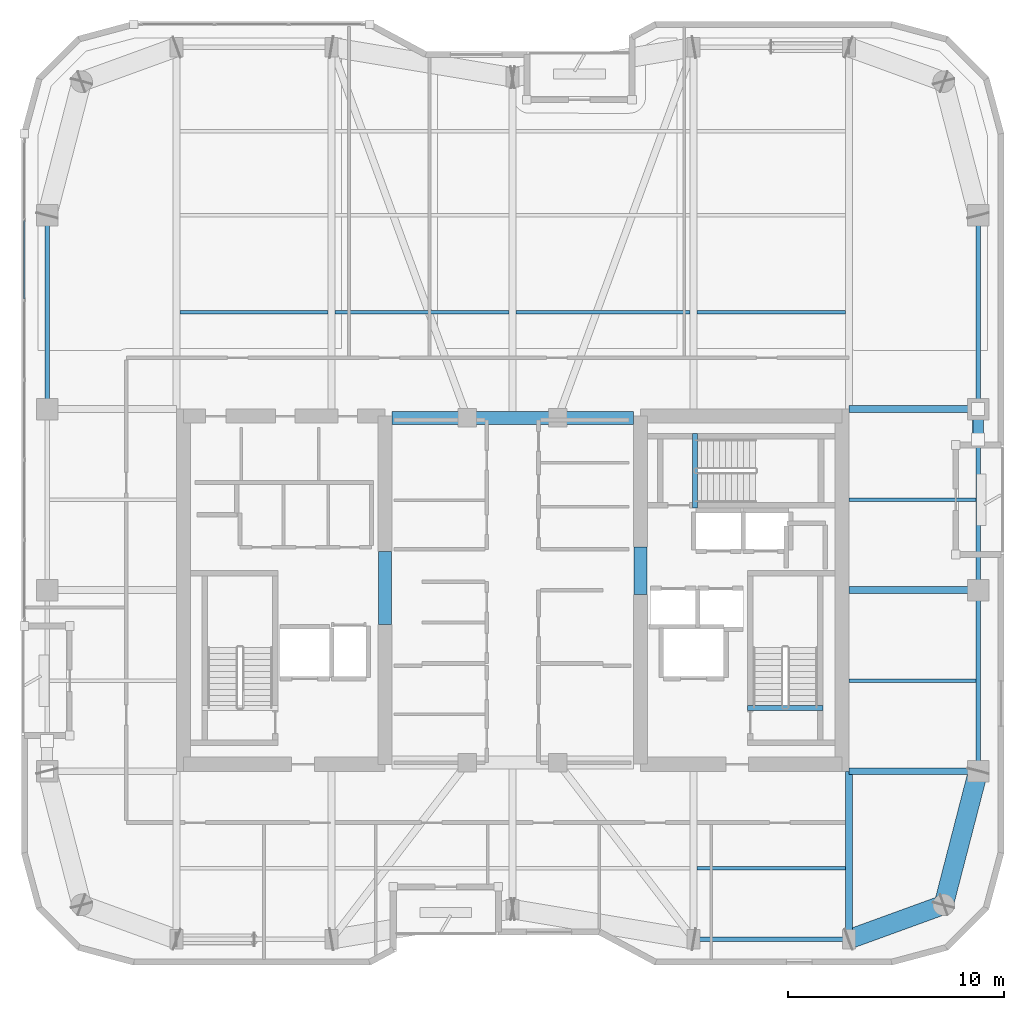
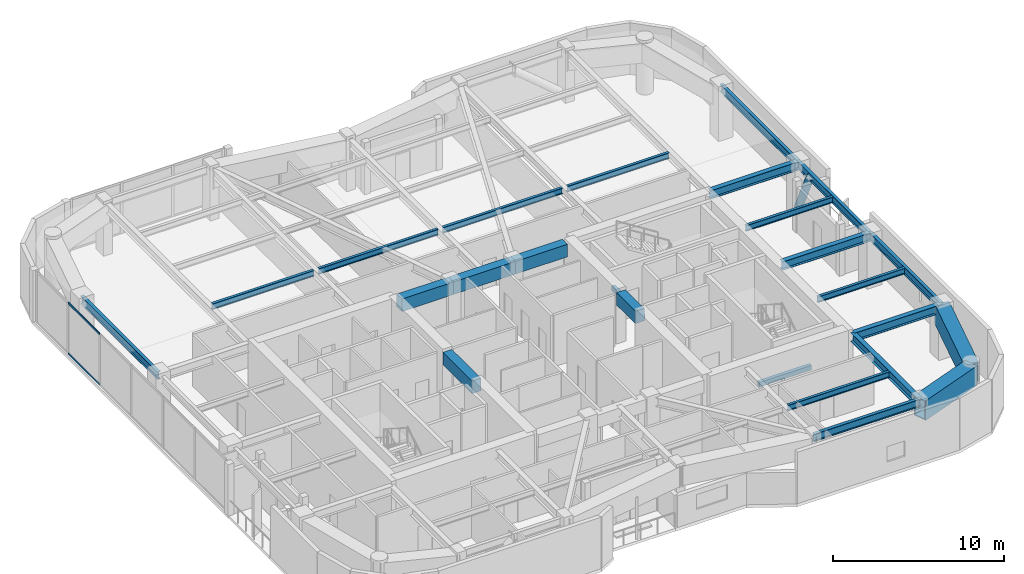
# One storey, part 5 of 21: 25 beams, 3 members, 1 element without a shape of its own.
"""IFC4 building model written with IfcOpenShell, lengths in metres."""

from ifc_helpers import new_model, si_unit, direction, frame, origin, origin_2d, place, context, subcontext, project, spatial, rectangle, hollow_rectangle, hollow_circle, i_section, extrude, material, layer, layer_set, material_profile, profile_set, type_object, element, aggregate, save


model = new_model("IFC4")

# Units and contexts
model_context = context("Model", 3, precision=1e-05, world=origin(), true_north=direction((0.0, 1.0)))
body_context = subcontext(model_context, "Body", "Model", "MODEL_VIEW")
ifc_project = project(units=[si_unit("LENGTHUNIT", "METRE"), si_unit("AREAUNIT", "SQUARE_METRE"), si_unit("VOLUMEUNIT", "CUBIC_METRE"), si_unit("PLANEANGLEUNIT", "RADIAN"), si_unit("MASSUNIT", "GRAM", prefix="KILO")], contexts=[model_context])

# Site, building, storey
site_placement = place(None, origin())
site = spatial("IfcSite", under=ifc_project, at=site_placement, CompositionType="ELEMENT")
building_placement = place(site_placement, origin())
building = spatial("IfcBuilding", under=site, at=building_placement, Name="Kiyonajd Concourse Tower", CompositionType="ELEMENT")
storey_placement = place(building_placement, frame((0.0, 0.0, 247.199951171875)))
storey = spatial("IfcBuildingStorey", under=building, at=storey_placement, Name="L62", CompositionType="ELEMENT", Elevation=247.199951171875)

# Beams
ifc_material_1 = material(Name="Concrete C60/75", Category="concrete")
ifc_material_profile_1 = material_profile(ifc_material_1, rectangle(XDim=0.60009765625, YDim=0.89990234375, at=origin_2d()), Name="RCBM-600x900")
ifc_profile_set_1 = profile_set([ifc_material_profile_1], Name="Concrete C60/75")
beam_type_1 = type_object("IfcBeamType", Name="BM-COUP-900", PredefinedType="LINTEL", material=ifc_profile_set_1)
beam_1_placement = place(storey_placement, frame((42.39990234375, 44.0, 3.22998046875), z_axis=(1.0, 0.0, 0.0), x_axis=(0.0, 1.0, 0.0)))
element("IfcBeam", 1, at=beam_1_placement, inside=storey, type_object=beam_type_1, Name="L62 Core Coupling Beam N1", PredefinedType="LINTEL", context=body_context, shape_type="SweptSolid", body=[
    extrude(rectangle(XDim=0.60009765625, YDim=0.89990234375, at=origin_2d()), origin(), (0.0, 0.0, 1.0), 3.5),
])
beam_2_placement = place(storey_placement, frame((45.89990234375, 44.0, 3.22998046875), z_axis=(1.0, 0.0, 0.0), x_axis=(0.0, 1.0, 0.0)))
element("IfcBeam", 2, at=beam_2_placement, inside=storey, type_object=beam_type_1, Name="L62 Core Coupling Beam N2", PredefinedType="LINTEL", context=body_context, shape_type="SweptSolid", body=[
    extrude(rectangle(XDim=0.60009765625, YDim=0.89990234375, at=origin_2d()), origin(), (0.0, 0.0, 1.0), 4.2001953125),
])
beam_3_placement = place(storey_placement, frame((50.10009765625, 44.0, 3.22998046875), z_axis=(1.0, 0.0, 0.0), x_axis=(0.0, 1.0, 0.0)))
element("IfcBeam", 3, at=beam_3_placement, inside=storey, type_object=beam_type_1, Name="L62 Core Coupling Beam N3", PredefinedType="LINTEL", context=body_context, shape_type="SweptSolid", body=[
    extrude(rectangle(XDim=0.60009765625, YDim=0.89990234375, at=origin_2d()), origin(), (0.0, 0.0, 1.0), 3.5),
])
beam_4_placement = place(storey_placement, frame((42.074951171875, 34.39990234375, 3.22998046875), z_axis=(0.0, 1.0, 0.0), x_axis=(-1.0, 0.0, 0.0)))
element("IfcBeam", 4, at=beam_4_placement, inside=storey, type_object=beam_type_1, Name="L62 West Core Throat Coupling Lintel", PredefinedType="LINTEL", context=body_context, shape_type="SweptSolid", body=[
    extrude(rectangle(XDim=0.60009765625, YDim=0.89990234375, at=origin_2d()), origin(), (0.0, 0.0, 1.0), 3.400146484375),
])
beam_5_placement = place(storey_placement, frame((53.925048828125, 35.800048828125, 3.22998046875), z_axis=(0.0, 1.0, 0.0), x_axis=(-1.0, 0.0, 0.0)))
element("IfcBeam", 5, at=beam_5_placement, inside=storey, type_object=beam_type_1, Name="L62 East Core Throat Coupling Lintel", PredefinedType="LINTEL", context=body_context, shape_type="SweptSolid", body=[
    extrude(rectangle(XDim=0.60009765625, YDim=0.89990234375, at=origin_2d()), origin(), (0.0, 0.0, 1.0), 2.199951171875),
])
ifc_material_2 = material(Name="Steel ASTM A992 Grade 50", Category="steel")
ifc_material_profile_2 = material_profile(ifc_material_2, i_section(OverallWidth=0.180908203125, OverallDepth=0.4169921875, WebThickness=0.010986328125, FlangeThickness=0.018310546875, at=origin_2d()), Name="W410X85")
ifc_profile_set_2 = profile_set([ifc_material_profile_2], Name="Steel ASTM A992 Grade 50")
beam_type_2 = type_object("IfcBeamType", Name="BM-JST-410", PredefinedType="JOIST", material=ifc_profile_set_2)
for number, where, z_axis, x_axis, name in (
    (6, (56.56201171875, 23.10009765625, 3.471435546875), (1.0, 0.0, 0.0), (0.0, 1.0, 0.0), "L62 Secondary Floor Joist"),
    (7, (32.56201171875, 48.89990234375, 3.471435546875), (1.0, 0.0, 0.0), (0.0, 1.0, 0.0), "L62 Secondary Floor Joist"),
):
    element("IfcBeam", number, at=place(storey_placement, frame(where, z_axis=z_axis, x_axis=x_axis)), inside=storey, type_object=beam_type_2, Name=name, PredefinedType="JOIST", context=body_context, shape_type="SweptSolid", body=[
        extrude(i_section(OverallWidth=0.180908203125, OverallDepth=0.4169921875, WebThickness=0.010986328125, FlangeThickness=0.018310546875, at=origin_2d()), origin(), (0.0, 0.0, 1.0), 6.8759765625),
    ])
for number, where, z_axis, x_axis, name in (
    (8, (39.761962890625, 48.89990234375, 3.471435546875), (1.0, 0.0, 0.0), (0.0, 1.0, 0.0), "L62 Secondary Floor Joist"),
    (9, (48.162109375, 48.89990234375, 3.471435546875), (1.0, 0.0, 0.0), (0.0, 1.0, 0.0), "L62 Secondary Floor Joist"),
):
    element("IfcBeam", number, at=place(storey_placement, frame(where, z_axis=z_axis, x_axis=x_axis)), inside=storey, type_object=beam_type_2, Name=name, PredefinedType="JOIST", context=body_context, shape_type="SweptSolid", body=[
        extrude(i_section(OverallWidth=0.180908203125, OverallDepth=0.4169921875, WebThickness=0.010986328125, FlangeThickness=0.018310546875, at=origin_2d()), origin(), (0.0, 0.0, 1.0), 8.075927734375),
    ])
beam_6_placement = place(storey_placement, frame((56.56201171875, 48.89990234375, 3.471435546875), z_axis=(1.0, 0.0, 0.0), x_axis=(0.0, 1.0, 0.0)))
element("IfcBeam", 10, at=beam_6_placement, inside=storey, type_object=beam_type_2, Name="L62 Secondary Floor Joist", PredefinedType="JOIST", context=body_context, shape_type="SweptSolid", body=[
    extrude(i_section(OverallWidth=0.180908203125, OverallDepth=0.4169921875, WebThickness=0.010986328125, FlangeThickness=0.018310546875, at=origin_2d()), origin(), (0.0, 0.0, 1.0), 6.8759765625),
])
for number, where, z_axis, x_axis, name in (
    (11, (63.60009765625, 31.800048828125, 3.471435546875), (1.0, 0.0, 0.0), (0.0, 1.0, 0.0), "L62 East Secondary Floor Joist"),
    (12, (63.60009765625, 40.199951171875, 3.471435546875), (1.0, 0.0, 0.0), (0.0, 1.0, 0.0), "L62 East Secondary Floor Joist"),
):
    element("IfcBeam", number, at=place(storey_placement, frame(where, z_axis=z_axis, x_axis=x_axis)), inside=storey, type_object=beam_type_2, Name=name, PredefinedType="JOIST", context=body_context, shape_type="SweptSolid", body=[
        extrude(i_section(OverallWidth=0.180908203125, OverallDepth=0.4169921875, WebThickness=0.010986328125, FlangeThickness=0.018310546875, at=origin_2d()), origin(), (0.0, 0.0, 1.0), 5.892822265625),
    ])
ifc_material_3 = material(Name="Concrete C50/60", Category="concrete")
ifc_material_profile_3 = material_profile(ifc_material_3, rectangle(XDim=0.239990234375, YDim=0.320068359375, at=origin_2d()), Name="RCBM-240x320")
ifc_profile_set_3 = profile_set([ifc_material_profile_3], Name="Concrete C50/60")
beam_type_3 = type_object("IfcBeamType", Name="BM-LNT-250", PredefinedType="LINTEL", material=ifc_profile_set_3)
beam_7_placement = place(storey_placement, frame((58.889892578125, 30.530029296875, -0.159912109375), z_axis=(1.0, 0.0, 0.0), x_axis=(0.0, 1.0, 0.0)))
element("IfcBeam", 13, at=beam_7_placement, inside=storey, type_object=beam_type_3, Name="L62 Stair ST2 Threshold Support Beam", PredefinedType="LINTEL", context=body_context, shape_type="SweptSolid", body=[
    extrude(rectangle(XDim=0.239990234375, YDim=0.320068359375, at=origin_2d()), origin(), (0.0, 0.0, 1.0), 3.52001953125),
])
beam_8_placement = place(storey_placement, frame((56.4599609375, 39.820068359375, -0.159912109375), z_axis=(0.0, 1.0, 0.0), x_axis=(-1.0, 0.0, 0.0)))
element("IfcBeam", 14, at=beam_8_placement, inside=storey, type_object=beam_type_3, Name="L62 Stair ST3 Threshold Support Beam", PredefinedType="LINTEL", context=body_context, shape_type="SweptSolid", body=[
    extrude(rectangle(XDim=0.239990234375, YDim=0.320068359375, at=origin_2d()), origin(), (0.0, 0.0, 1.0), 3.4599609375),
])
ifc_material_profile_4 = material_profile(ifc_material_2, i_section(OverallWidth=0.214111328125, OverallDepth=0.549072265625, WebThickness=0.0146484375, FlangeThickness=0.023681640625, at=origin_2d()), Name="W530X138")
ifc_profile_set_4 = profile_set([ifc_material_profile_4], Name="Steel ASTM A992 Grade 50")
beam_type_4 = type_object("IfcBeamType", Name="BM-SPAN-530A", PredefinedType="SPANDREL", material=ifc_profile_set_4)
beam_9_placement = place(storey_placement, frame((56.39990234375, 19.800048828125, 3.405517578125), z_axis=(1.0, 0.0, 0.0), x_axis=(0.0, 1.0, 0.0)))
element("IfcBeam", 15, at=beam_9_placement, inside=storey, type_object=beam_type_4, Name="L62 Perimeter Bundled Tube Spandrel", PredefinedType="SPANDREL", context=body_context, shape_type="SweptSolid", body=[
    extrude(i_section(OverallWidth=0.214111328125, OverallDepth=0.549072265625, WebThickness=0.0146484375, FlangeThickness=0.023681640625, at=origin_2d()), origin(), (0.0, 0.0, 1.0), 7.2001953125),
])
for number, where, z_axis, x_axis, name in (
    (16, (69.60009765625, 27.60009765625, 3.405517578125), (0.0, 1.0, 0.0), (-1.0, 0.0, 0.0), "L62 Perimeter Bundled Tube Spandrel"),
    (17, (69.60009765625, 36.0, 3.405517578125), (0.0, 1.0, 0.0), (-1.0, 0.0, 0.0), "L62 Perimeter Bundled Tube Spandrel"),
):
    element("IfcBeam", number, at=place(storey_placement, frame(where, z_axis=z_axis, x_axis=x_axis)), inside=storey, type_object=beam_type_4, Name=name, PredefinedType="SPANDREL", context=body_context, shape_type="SweptSolid", body=[
        extrude(i_section(OverallWidth=0.214111328125, OverallDepth=0.549072265625, WebThickness=0.0146484375, FlangeThickness=0.023681640625, at=origin_2d()), origin(), (0.0, 0.0, 1.0), 8.39990234375),
    ])
for number, where, z_axis, x_axis, name in (
    (18, (69.60009765625, 44.39990234375, 3.405517578125), (0.0, 1.0, 0.0), (-1.0, 0.0, 0.0), "L62 Perimeter Bundled Tube Spandrel"),
    (19, (26.39990234375, 53.39990234375, 3.405517578125), (0.0, -1.0, 0.0), (1.0, 0.0, 0.0), "L62 Perimeter Bundled Tube Spandrel"),
):
    element("IfcBeam", number, at=place(storey_placement, frame(where, z_axis=z_axis, x_axis=x_axis)), inside=storey, type_object=beam_type_4, Name=name, PredefinedType="SPANDREL", context=body_context, shape_type="SweptSolid", body=[
        extrude(i_section(OverallWidth=0.214111328125, OverallDepth=0.549072265625, WebThickness=0.0146484375, FlangeThickness=0.023681640625, at=origin_2d()), origin(), (0.0, 0.0, 1.0), 9.0),
    ])
ifc_material_profile_5 = material_profile(ifc_material_2, i_section(OverallWidth=0.323974609375, OverallDepth=0.611083984375, WebThickness=0.0126953125, FlangeThickness=0.01904296875, at=origin_2d()), Name="W610X155")
ifc_profile_set_5 = profile_set([ifc_material_profile_5], Name="Steel ASTM A992 Grade 50")
beam_type_5 = type_object("IfcBeamType", Name="BM-TWR-610B", PredefinedType="BEAM", material=ifc_profile_set_5)
beam_10_placement = place(storey_placement, frame((63.60009765625, 19.800048828125, 3.37451171875), z_axis=(0.0, 1.0, 0.0), x_axis=(-1.0, 0.0, 0.0)))
element("IfcBeam", 20, at=beam_10_placement, inside=storey, type_object=beam_type_5, Name="L62 South Lease Girder", PredefinedType="BEAM", context=body_context, shape_type="SweptSolid", body=[
    extrude(i_section(OverallWidth=0.323974609375, OverallDepth=0.611083984375, WebThickness=0.0126953125, FlangeThickness=0.01904296875, at=origin_2d()), origin(), (0.0, 0.0, 1.0), 7.800048828125),
])
for number, where, z_axis, x_axis, name in (
    (21, (63.60009765625, 27.60009765625, 3.37451171875), (1.0, 0.0, 0.0), (0.0, 1.0, 0.0), "L62 East Lease Girder"),
    (22, (63.60009765625, 36.0, 3.37451171875), (1.0, 0.0, 0.0), (0.0, 1.0, 0.0), "L62 East Lease Girder"),
    (23, (63.60009765625, 44.39990234375, 3.37451171875), (1.0, 0.0, 0.0), (0.0, 1.0, 0.0), "L62 East Lease Girder"),
):
    element("IfcBeam", number, at=place(storey_placement, frame(where, z_axis=z_axis, x_axis=x_axis)), inside=storey, type_object=beam_type_5, Name=name, PredefinedType="BEAM", context=body_context, shape_type="SweptSolid", body=[
        extrude(i_section(OverallWidth=0.323974609375, OverallDepth=0.611083984375, WebThickness=0.0126953125, FlangeThickness=0.01904296875, at=origin_2d()), origin(), (0.0, 0.0, 1.0), 6.0),
    ])
ifc_material_4 = material(Name="Steel ASTM A572 Grade 50", Category="steel")
ifc_material_profile_6 = material_profile(ifc_material_4, hollow_rectangle(XDim=0.89990234375, YDim=1.39990234375, WallThickness=0.070068359375, at=origin_2d()), Name="BOX-1400x900x70")
ifc_profile_set_6 = profile_set([ifc_material_profile_6], Name="Steel ASTM A572 Grade 50")
beam_type_6 = type_object("IfcBeamType", Name="BM-XFER-1400", PredefinedType="BEAM", material=ifc_profile_set_6)
beam_11_placement = place(storey_placement, frame((63.60009765625, 19.800048828125, 2.97998046875), z_axis=(0.939801036019, 0.341722127901, 0.0), x_axis=(-0.341722127901, 0.939801036019, 0.0)))
element("IfcBeam", 24, at=beam_11_placement, inside=storey, type_object=beam_type_6, Name="L62 Perimeter Bundled Tube Spandrel", PredefinedType="BEAM", context=body_context, shape_type="SweptSolid", body=[
    extrude(hollow_rectangle(XDim=0.89990234375, YDim=1.39990234375, WallThickness=0.070068359375, at=origin_2d()), origin(), (0.0, 0.0, 1.0), 4.681640625),
])
beam_12_placement = place(storey_placement, frame((68.0, 21.39990234375, 2.97998046875), z_axis=(0.249884937687, 0.968275538221, 0.0), x_axis=(-0.968275538221, 0.249884937687, 0.0)))
element("IfcBeam", 25, at=beam_12_placement, inside=storey, type_object=beam_type_6, Name="L62 Perimeter Bundled Tube Spandrel", PredefinedType="BEAM", context=body_context, shape_type="SweptSolid", body=[
    extrude(hollow_rectangle(XDim=0.89990234375, YDim=1.39990234375, WallThickness=0.070068359375, at=origin_2d()), origin(), (0.0, 0.0, 1.0), 6.4033203125),
])

# Curtain wall, members
ifc_material_5 = material(Name="Thermally Broken Anodised Aluminium", Category="aluminium")
ifc_layer = layer(ifc_material_5, 0.179931640625)
ifc_layer_set = layer_set([ifc_layer], Name="Thermally Broken Anodised Aluminium")
curtain_wall_type = type_object("IfcCurtainWallType", Name="CW-SYS-04", PredefinedType="NOTDEFINED", material=ifc_layer_set)
curtain_wall_placement = place(storey_placement, origin())
curtain_wall = element("IfcCurtainWall", 26, at=curtain_wall_placement, inside=storey, type_object=curtain_wall_type, Name="L62 Unitised Curtain Wall CW4", PredefinedType="NOTDEFINED")
ifc_material_profile_7 = material_profile(ifc_material_5, hollow_rectangle(XDim=0.06494140625, YDim=0.139892578125, WallThickness=0.00390625, at=origin_2d()), Name="TRAN-65x140")
ifc_profile_set_7 = profile_set([ifc_material_profile_7], Name="Thermally Broken Anodised Aluminium")
member_type_1 = type_object("IfcMemberType", Name="MB-CW-TRAN1", PredefinedType="USERDEFINED", material=ifc_profile_set_7)
member_1_placement = place(storey_placement, frame((25.340087890625, 49.503662109375, 0.032470703125), z_axis=(0.0, 1.0, 0.0), x_axis=(-1.0, 0.0, 0.0)))
member_1 = element("IfcMember", 27, at=member_1_placement, type_object=member_type_1, Name="CW4 transom 5.1", ObjectType="TRANSOM", PredefinedType="USERDEFINED", context=body_context, shape_type="SweptSolid", body=[
    extrude(hollow_rectangle(XDim=0.06494140625, YDim=0.139892578125, WallThickness=0.00390625, at=origin_2d()), origin(), (0.0, 0.0, 1.0), 3.645263671875),
])
member_2_placement = place(storey_placement, frame((25.340087890625, 49.503662109375, 3.6474609375), z_axis=(0.0, 1.0, 0.0), x_axis=(-1.0, 0.0, 0.0)))
member_2 = element("IfcMember", 28, at=member_2_placement, type_object=member_type_1, Name="CW4 transom 5.2", ObjectType="TRANSOM", PredefinedType="USERDEFINED", context=body_context, shape_type="SweptSolid", body=[
    extrude(hollow_rectangle(XDim=0.06494140625, YDim=0.139892578125, WallThickness=0.00390625, at=origin_2d()), origin(), (0.0, 0.0, 1.0), 3.645263671875),
])
aggregate(curtain_wall, [member_1, member_2])

# Member
ifc_material_6 = material(Name="Steel ASTM A500 Grade C", Category="steel")
ifc_material_profile_8 = material_profile(ifc_material_6, hollow_circle(Radius=0.25390625, WallThickness=0.02197265625, at=origin_2d()), Name="CHS-508x22")
ifc_profile_set_8 = profile_set([ifc_material_profile_8], Name="Steel ASTM A500 Grade C")
member_type_2 = type_object("IfcMemberType", Name="MB-PB-MID", PredefinedType="BRACE", material=ifc_profile_set_8)
member_3_placement = place(storey_placement, frame((69.60009765625, 44.39990234375, 0.300048828125), z_axis=(0.0, -0.419410666774, 0.907796614114), x_axis=(1.0, 0.0, 0.0)))
element("IfcMember", 29, at=member_3_placement, inside=storey, type_object=member_type_2, Name="L62 Upper Zone Hollow Tube Brace PBE", PredefinedType="BRACE", context=body_context, shape_type="SweptSolid", body=[
    extrude(hollow_circle(Radius=0.25390625, WallThickness=0.02197265625, at=origin_2d()), origin(), (0.0, 0.0, 1.0), 3.337890625),
])

save(model, "model.ifc")
